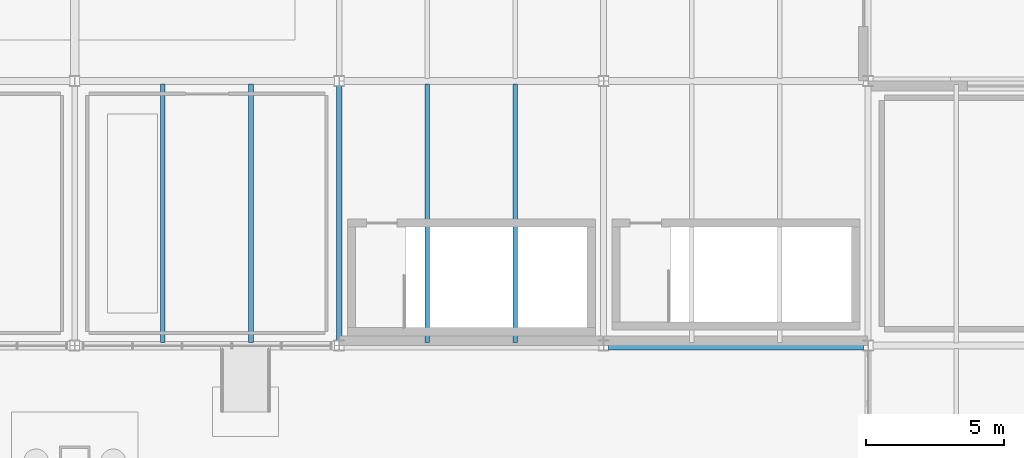
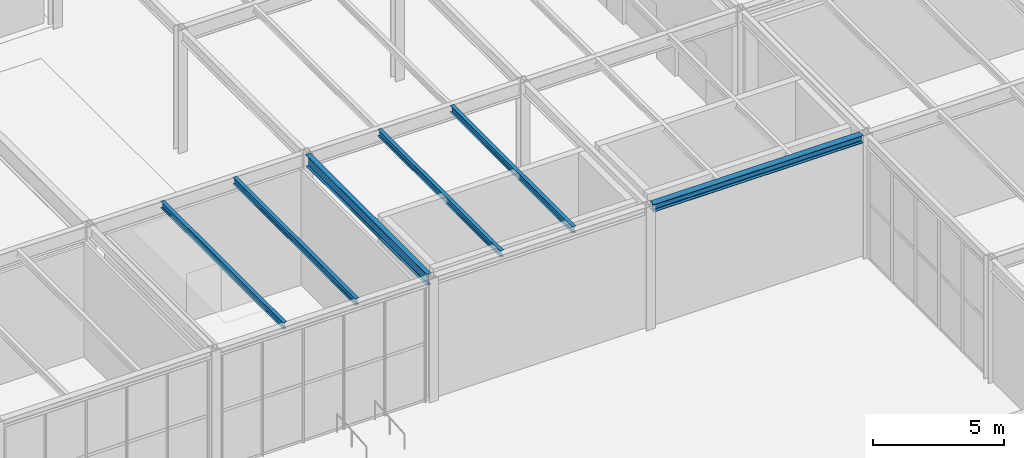
# One storey, part 88 of 142: 6 beams.
"""IFC4 building model written with IfcOpenShell, lengths in metres."""

from ifc_helpers import new_model, si_unit, direction, frame, origin, origin_2d, place, context, subcontext, project, spatial, i_section, extrude, material, material_profile, profile_set, type_object, element, save


model = new_model("IFC4")

# Units and contexts
model_context = context("Model", 3, precision=1e-05, world=origin(), true_north=direction((0.0, 1.0)))
body_context = subcontext(model_context, "Body", "Model", "MODEL_VIEW")
ifc_project = project(units=[si_unit("LENGTHUNIT", "METRE"), si_unit("AREAUNIT", "SQUARE_METRE"), si_unit("VOLUMEUNIT", "CUBIC_METRE"), si_unit("PLANEANGLEUNIT", "RADIAN"), si_unit("MASSUNIT", "GRAM", prefix="KILO")], contexts=[model_context])

# Site, building, storey
site_placement = place(None, origin())
site = spatial("IfcSite", under=ifc_project, at=site_placement, CompositionType="ELEMENT")
building_placement = place(site_placement, origin())
building = spatial("IfcBuilding", under=site, at=building_placement, Name="Coralgate Yard Interchange", CompositionType="ELEMENT")
storey_placement = place(building_placement, origin())
storey = spatial("IfcBuildingStorey", under=building, at=storey_placement, Name="L00", CompositionType="ELEMENT", Elevation=0.0)

# Beams
ifc_material = material(Name="Structural steel S355J2", Category="steel")
ifc_material_profile_1 = material_profile(ifc_material, i_section(OverallWidth=0.209228515625, OverallDepth=0.533203125, WebThickness=0.010009765625, FlangeThickness=0.015625, FilletRadius=0.0126953125, at=origin_2d()), Name="UB 533x210x92")
ifc_profile_set_1 = profile_set([ifc_material_profile_1], Name="Structural steel S355J2")
beam_type_1 = type_object("IfcBeamType", Name="BM-SB-1", PredefinedType="BEAM", material=ifc_profile_set_1)
beam_1_placement = place(storey_placement, frame((134.39990234375, 38.56689453125, 5.4833984375), z_axis=(0.0, 1.0, 0.0), x_axis=(-1.0, 0.0, 0.0)))
element("IfcBeam", 1, at=beam_1_placement, inside=storey, type_object=beam_type_1, Name="L00 primary grid girder X14 Y4-5", PredefinedType="BEAM", context=body_context, shape_type="SweptSolid", body=[
    extrude(i_section(OverallWidth=0.209228515625, OverallDepth=0.533203125, WebThickness=0.010009765625, FlangeThickness=0.015625, FilletRadius=0.0126953125, at=origin_2d()), origin(), (0.0, 0.0, 1.0), 9.266357421875),
])
ifc_material_profile_2 = material_profile(ifc_material, i_section(OverallWidth=0.1650390625, OverallDepth=0.303466796875, WebThickness=0.006103515625, FlangeThickness=0.01025390625, FilletRadius=0.0087890625, at=origin_2d()), Name="UB 305x165x40")
ifc_profile_set_2 = profile_set([ifc_material_profile_2], Name="Structural steel S355J2")
beam_type_2 = type_object("IfcBeamType", Name="BM-SJ-1", PredefinedType="JOIST", material=ifc_profile_set_2)
for number, where, z_axis, x_axis, name in (
    (2, (128.0, 38.52001953125, 5.598388671875), (0.0, 1.0, 0.0), (-1.0, 0.0, 0.0), "L00 composite floor joist 13-4-1"),
    (3, (131.199951171875, 38.52001953125, 5.598388671875), (0.0, 1.0, 0.0), (-1.0, 0.0, 0.0), "L00 composite floor joist 13-4-2"),
    (4, (137.60009765625, 38.52001953125, 5.598388671875), (0.0, 1.0, 0.0), (-1.0, 0.0, 0.0), "L00 composite floor joist 14-4-1"),
    (5, (140.800048828125, 38.52001953125, 5.598388671875), (0.0, 1.0, 0.0), (-1.0, 0.0, 0.0), "L00 composite floor joist 14-4-2"),
):
    element("IfcBeam", number, at=place(storey_placement, frame(where, z_axis=z_axis, x_axis=x_axis)), inside=storey, type_object=beam_type_2, Name=name, PredefinedType="JOIST", context=body_context, shape_type="SweptSolid", body=[
        extrude(i_section(OverallWidth=0.1650390625, OverallDepth=0.303466796875, WebThickness=0.006103515625, FlangeThickness=0.01025390625, FilletRadius=0.0087890625, at=origin_2d()), origin(), (0.0, 0.0, 1.0), 9.383056640625),
    ])
ifc_material_profile_3 = material_profile(ifc_material, i_section(OverallWidth=0.300048828125, OverallDepth=0.35009765625, WebThickness=0.010009765625, FlangeThickness=0.017578125, FilletRadius=0.027099609375, at=origin_2d()), Name="HEA 360")
ifc_profile_set_3 = profile_set([ifc_material_profile_3], Name="Structural steel S355J2")
beam_type_3 = type_object("IfcBeamType", Name="BM-SP-1", PredefinedType="SPANDREL", material=ifc_profile_set_3)
beam_2_placement = place(storey_placement, frame((144.16943359375, 38.39990234375, 5.574951171875), z_axis=(1.0, 0.0, 0.0), x_axis=(0.0, 1.0, 0.0)))
element("IfcBeam", 6, at=beam_2_placement, inside=storey, type_object=beam_type_3, Name="L00 primary grid beam Y4 X15-16", PredefinedType="SPANDREL", context=body_context, shape_type="SweptSolid", body=[
    extrude(i_section(OverallWidth=0.300048828125, OverallDepth=0.35009765625, WebThickness=0.010009765625, FlangeThickness=0.017578125, FilletRadius=0.027099609375, at=origin_2d()), origin(), (0.0, 0.0, 1.0), 9.260986328125),
])

save(model, "model.ifc")
